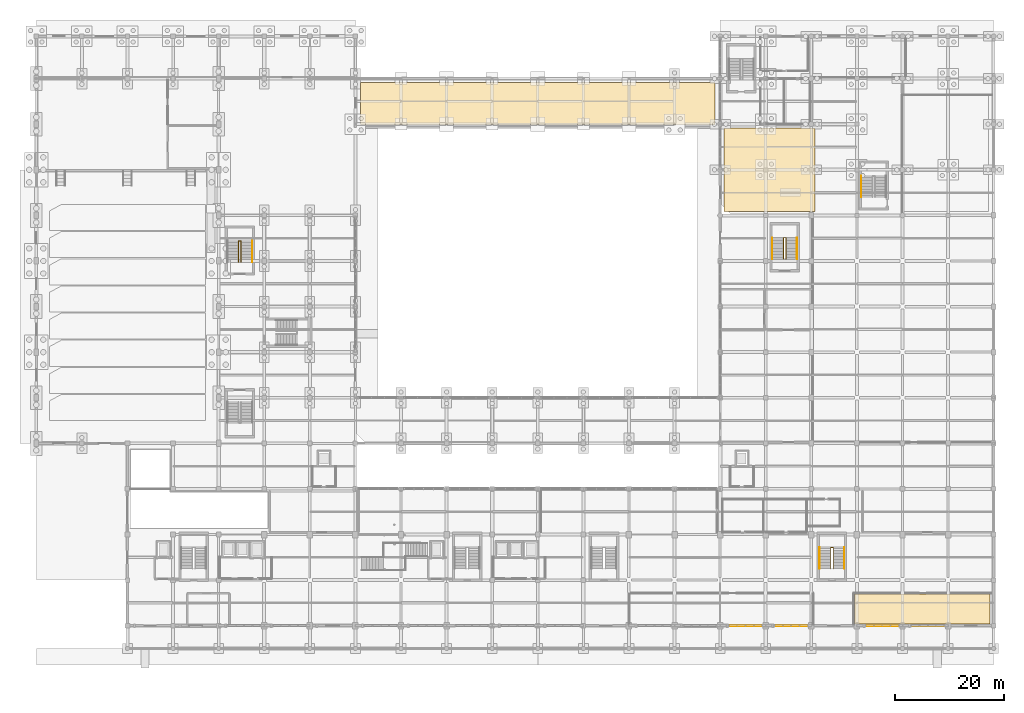
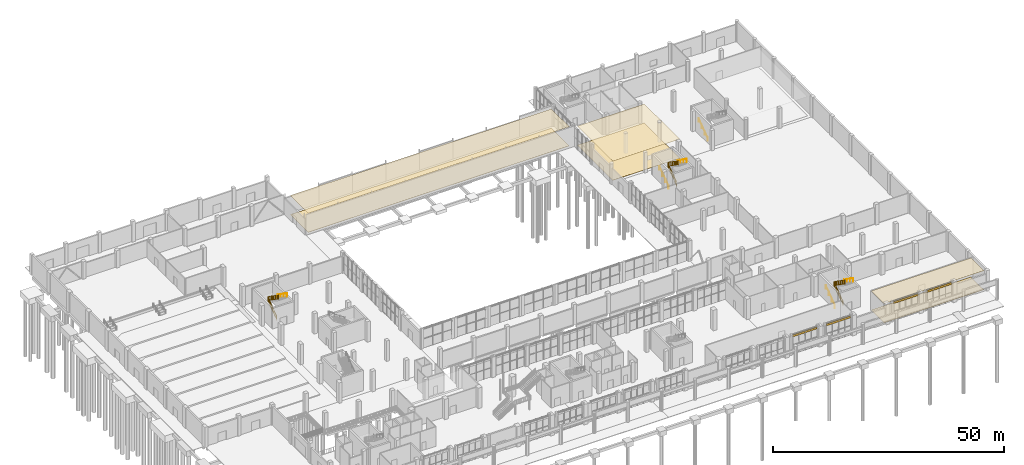
# One storey, part 80 of 82: 10 coverings, 9 railings.
"""IFC4 building model written with IfcOpenShell, lengths in metres."""

import ifcopenshell
import ifcopenshell.guid

model = None  # the IFC model being written
_history = None  # IfcOwnerHistory: only IFC2X3 demands one
_inside = {}  # id of a spatial element -> (the spatial element, [elements in it])
_under = {}  # id of a project, library or spatial element -> (it, [spatial elements below it])
_declared = {}  # id of a project -> (the project, [libraries it declares])
_typed = {}  # id of a type object -> (the type object, [elements of that type])
_made_of = {}  # id of a material, layer set ... -> (it, [elements and type objects made of it])


def new_model(schema):
    """Start an empty IFC model of exactly this schema.

    Asked for "IFC4X3", IfcOpenShell would pick the latest addendum, in which some entities
    have other attributes; the version numbers below select the first issue.
    IFC2X3 requires an IfcOwnerHistory on every rooted entity: one is made here for all.
    """
    global model, _history
    if schema == "IFC4X3":
        model = ifcopenshell.file(schema_version=(4, 3, 0, 0))
    else:
        model = ifcopenshell.file(schema=schema)
    _inside.clear()
    _under.clear()
    _declared.clear()
    _typed.clear()
    _made_of.clear()
    _history = None
    if model.schema == "IFC2X3":
        org = make("IfcOrganization", Name="unknown")
        user = make(
            "IfcPersonAndOrganization",
            ThePerson=make("IfcPerson", FamilyName="unknown"),
            TheOrganization=org,
        )
        app = make(
            "IfcApplication",
            ApplicationDeveloper=org,
            Version="unknown",
            ApplicationFullName="unknown",
            ApplicationIdentifier="unknown",
        )
        _history = make(
            "IfcOwnerHistory",
            OwningUser=user,
            OwningApplication=app,
            ChangeAction="ADDED",
            CreationDate=0,
        )
    return model


def make(cls, **values):
    """One entity of the class cls with the attributes given. An attribute that is None is left unset."""
    return model.create_entity(
        cls, **{name: value for name, value in values.items() if value is not None}
    )


def rooted(cls, **values):
    """An entity with a GlobalId (a new one), such as an element, a storey or a relation."""
    return make(cls, GlobalId=ifcopenshell.guid.new(), OwnerHistory=_history, **values)


def si_unit(unit_type, name, prefix=None):
    """IfcSIUnit, for example si_unit("LENGTHUNIT", "METRE", prefix="MILLI")."""
    return make("IfcSIUnit", UnitType=unit_type, Prefix=prefix, Name=name)


def derived_unit(unit_type, elements):
    """IfcDerivedUnit: a product of units, each with its exponent."""
    return make(
        "IfcDerivedUnit",
        Elements=[
            make("IfcDerivedUnitElement", Unit=unit, Exponent=power)
            for unit, power in elements
        ],
        UnitType=unit_type,
    )


def assignment(units):
    """IfcUnitAssignment: the units of a project."""
    return None if units is None else make("IfcUnitAssignment", Units=units)


def point(xyz):
    """IfcCartesianPoint."""
    return None if xyz is None else make("IfcCartesianPoint", Coordinates=xyz)


def direction(xyz):
    """IfcDirection."""
    return None if xyz is None else make("IfcDirection", DirectionRatios=xyz)


def frame(location, z_axis=None, x_axis=None):
    """IfcAxis2Placement3D, a coordinate frame: its origin and axes. An axis left out is left unset."""
    return make(
        "IfcAxis2Placement3D",
        Location=point(location),
        Axis=direction(z_axis),
        RefDirection=direction(x_axis),
    )


def frame_2d(location, x_axis=None):
    """IfcAxis2Placement2D, a coordinate frame in the plane: its origin and x axis."""
    return make(
        "IfcAxis2Placement2D", Location=point(location), RefDirection=direction(x_axis)
    )


def origin():
    """The frame at (0, 0, 0) with its axes left unset."""
    return frame((0.0, 0.0, 0.0))


def origin_2d():
    """The frame at (0, 0) in the plane with its x axis left unset."""
    return frame_2d((0.0, 0.0))


def place(relative_to, where):
    """IfcLocalPlacement: puts the frame where relative to a parent placement (None: the world)."""
    return make(
        "IfcLocalPlacement", PlacementRelTo=relative_to, RelativePlacement=where
    )


def context(
    kind, dimensions, precision=None, world=None, true_north=None, identifier=None
):
    """IfcGeometricRepresentationContext, for example the 3D "Model" context."""
    return make(
        "IfcGeometricRepresentationContext",
        ContextIdentifier=identifier,
        ContextType=kind,
        CoordinateSpaceDimension=dimensions,
        Precision=precision,
        WorldCoordinateSystem=world,
        TrueNorth=true_north,
    )


def subcontext(parent, identifier, kind, view, scale=None):
    """IfcGeometricRepresentationSubContext, for example "Body" below "Model"."""
    return make(
        "IfcGeometricRepresentationSubContext",
        ContextIdentifier=identifier,
        ContextType=kind,
        ParentContext=parent,
        TargetScale=scale,
        TargetView=view,
    )


def project(units=None, contexts=None):
    """IfcProject with its units and contexts."""
    return rooted(
        "IfcProject",
        Name="project",
        RepresentationContexts=contexts,
        UnitsInContext=assignment(units),
    )


def spatial(cls, under=None, at=None, **own):
    """A site, building, storey or space (cls), placed at a placement, below another one or the project."""
    s = rooted(cls, ObjectPlacement=at, **own)
    if under is not None:
        _under.setdefault(under.id(), (under, []))[1].append(s)
    return s


def polyline(points):
    """IfcPolyline through the points."""
    return make("IfcPolyline", Points=[point(p) for p in points])


def profile(cls, at=None, kind="AREA", **sizes):
    """A parametric profile (cls). Its sizes go by their IFC names, for example OverallWidth=200.0."""
    return make(cls, ProfileType=kind, Position=at, **sizes)


def rectangle(**sizes):
    """IfcRectangleProfileDef."""
    return profile("IfcRectangleProfileDef", **sizes)


def circle(**sizes):
    """IfcCircleProfileDef."""
    return profile("IfcCircleProfileDef", **sizes)


def outline(outer, holes=None, kind="AREA"):
    """IfcArbitraryClosedProfileDef: a profile drawn as a closed curve; with holes, ...WithVoids."""
    if holes is None:
        return make("IfcArbitraryClosedProfileDef", ProfileType=kind, OuterCurve=outer)
    return make(
        "IfcArbitraryProfileDefWithVoids",
        ProfileType=kind,
        OuterCurve=outer,
        InnerCurves=holes,
    )


def extrude(swept, where, along, depth):
    """IfcExtrudedAreaSolid: the profile swept, set in the frame where, extruded along a direction by depth."""
    return make(
        "IfcExtrudedAreaSolid",
        SweptArea=swept,
        Position=where,
        ExtrudedDirection=direction(along),
        Depth=depth,
    )


def shape(context_of_items, identifier, shape_type, items):
    """IfcShapeRepresentation: the items that make up one representation, for example the "Body"."""
    return make(
        "IfcShapeRepresentation",
        ContextOfItems=context_of_items,
        RepresentationIdentifier=identifier,
        RepresentationType=shape_type,
        Items=items,
    )


def material(Name=None, Category=None):
    """IfcMaterial."""
    return make("IfcMaterial", Name=Name, Category=Category)


def layer(
    of_material, thickness, ventilated=None, Name=None, Category=None, Priority=None
):
    """IfcMaterialLayer: one layer of a wall or slab, of a material (None: an air gap)."""
    return make(
        "IfcMaterialLayer",
        Material=of_material,
        LayerThickness=thickness,
        IsVentilated=ventilated,
        Name=Name,
        Category=Category,
        Priority=Priority,
    )


def layer_set(layers, Name=None):
    """IfcMaterialLayerSet."""
    return make("IfcMaterialLayerSet", MaterialLayers=layers, LayerSetName=Name)


def made_of(thing, what):
    """Note that an element or type object is made of a material, layer set ...; save() writes the relation."""
    if what is not None:
        _made_of.setdefault(what.id(), (what, []))[1].append(thing)
    return thing


def type_object(cls, material=None, **own):
    """A type object (cls), such as IfcWallType, which elements share."""
    return made_of(rooted(cls, **own), material)


def element(
    cls,
    number,
    at=None,
    inside=None,
    cuts=None,
    type_object=None,
    material=None,
    context=None,
    identifier="Body",
    shape_type=None,
    held_by="IfcProductDefinitionShape",
    body=None,
    shapes=None,
    **own,
):
    """One element of the class cls, such as IfcWall. Its Tag is "e" and its number.

    at: its placement. inside: the storey or other place that contains it. cuts: it is an
    opening in that element (IfcRelVoidsElement). A single representation is given by context,
    identifier, shape_type and body (its items); several are given by shapes. held_by: the class
    of the entity that holds the representations. save() writes the other relations.
    """
    e = rooted(cls, Tag="e%d" % number, ObjectPlacement=at, **own)
    if body is not None:
        shapes = [shape(context, identifier, shape_type, body)]
    if shapes is not None:
        e.Representation = make(held_by, Representations=shapes)
    if inside is not None:
        _inside.setdefault(inside.id(), (inside, []))[1].append(e)
    if cuts is not None:
        rooted(
            "IfcRelVoidsElement", RelatingBuildingElement=cuts, RelatedOpeningElement=e
        )
    if type_object is not None:
        _typed.setdefault(type_object.id(), (type_object, []))[1].append(e)
    return made_of(e, material)


def aggregate(whole, parts):
    """IfcRelAggregates: a whole, such as a stair, and the parts it consists of."""
    return rooted("IfcRelAggregates", RelatingObject=whole, RelatedObjects=parts)


def save(model, path):
    """Write the relations noted so far, then the file.

    IfcRelAggregates (storeys below a building ...), IfcRelContainedInSpatialStructure (elements
    in a storey), IfcRelDefinesByType, IfcRelAssociatesMaterial and IfcRelDeclares: one each for
    every whole, place, type object, material and project.
    """
    for whole, parts in _under.values():
        aggregate(whole, parts)
    for where, things in _inside.values():
        rooted(
            "IfcRelContainedInSpatialStructure",
            RelatedElements=things,
            RelatingStructure=where,
        )
    for kind, things in _typed.values():
        rooted("IfcRelDefinesByType", RelatedObjects=things, RelatingType=kind)
    for what, things in _made_of.values():
        rooted("IfcRelAssociatesMaterial", RelatedObjects=things, RelatingMaterial=what)
    for by, libraries in _declared.values():
        rooted("IfcRelDeclares", RelatingContext=by, RelatedDefinitions=libraries)
    model.write(path)


model = new_model("IFC4")

# Units and contexts
model_context = context("Model", 3, precision=1e-05, world=origin(), true_north=direction((0.0, 1.0)))
body_context = subcontext(model_context, "Body", "Model", "MODEL_VIEW")
ifc_project = project(units=[si_unit("LENGTHUNIT", "METRE"), si_unit("AREAUNIT", "SQUARE_METRE"), si_unit("VOLUMEUNIT", "CUBIC_METRE"), si_unit("PLANEANGLEUNIT", "RADIAN"), si_unit("MASSUNIT", "GRAM", prefix="KILO"), derived_unit("THERMALTRANSMITTANCEUNIT", [(si_unit("POWERUNIT", "WATT"), 1), (si_unit("LENGTHUNIT", "METRE"), -2), (si_unit("THERMODYNAMICTEMPERATUREUNIT", "KELVIN"), -1)])], contexts=[model_context])

# Site, building, storey
site_placement = place(None, origin())
site = spatial("IfcSite", under=ifc_project, at=site_placement, CompositionType="ELEMENT")
building_placement = place(site_placement, origin())
building = spatial("IfcBuilding", under=site, at=building_placement, Name="Barrovel Congress Hotel", CompositionType="ELEMENT")
storey_placement = place(building_placement, origin())
storey = spatial("IfcBuildingStorey", under=building, at=storey_placement, Name="L00", CompositionType="ELEMENT", Elevation=0.0)

# Coverings
ifc_material_1 = material(Name="Perforated Timber Acoustic Ceiling", Category="wood")
ifc_layer_1 = layer(ifc_material_1, 0.030029296875)
ifc_layer_set_1 = layer_set([ifc_layer_1], Name="Perforated Timber Acoustic Ceiling")
covering_type_1 = type_object("IfcCoveringType", Name="COV-CEIL-ACU", PredefinedType="CEILING", material=ifc_layer_set_1)
covering_1_placement = place(storey_placement, frame((0.0, 0.0, 5.044921875)))
element("IfcCovering", 1, at=covering_1_placement, inside=storey, type_object=covering_type_1, Name="CEIL:03", PredefinedType="CEILING", context=body_context, shape_type="SweptSolid", body=[
    extrude(outline(polyline([(150.719970703125, 4.52001953125), (175.679931640625, 4.52001953125), (175.679931640625, 10.080078125), (150.719970703125, 10.080078125), (150.719970703125, 4.52001953125)])), origin(), (0.0, 0.0, 1.0), 0.030029296875),
])
covering_2_placement = place(storey_placement, frame((0.0, 0.0, 5.044921875)))
element("IfcCovering", 2, at=covering_2_placement, inside=storey, type_object=covering_type_1, Name="CEIL:05", PredefinedType="CEILING", context=body_context, shape_type="SweptSolid", body=[
    extrude(outline(polyline([(126.719970703125, 80.52001953125), (143.47998046875, 80.52001953125), (143.47998046875, 95.8798828125), (126.719970703125, 95.8798828125), (126.719970703125, 80.52001953125)])), origin(), (0.0, 0.0, 1.0), 0.030029296875),
])
covering_3_placement = place(storey_placement, frame((0.0, 0.0, 5.044921875)))
element("IfcCovering", 3, at=covering_3_placement, inside=storey, type_object=covering_type_1, Name="CEIL:08", PredefinedType="CEILING", context=body_context, shape_type="SweptSolid", body=[
    extrude(outline(polyline([(59.719970703125, 96.52001953125), (125.080078125, 96.52001953125), (125.080078125, 104.280029296875), (59.719970703125, 104.280029296875), (59.719970703125, 96.52001953125)])), origin(), (0.0, 0.0, 1.0), 0.030029296875),
])
ifc_material_2 = material(Name="Glazed Terracotta Spandrel", Category="masonry")
ifc_layer_2 = layer(ifc_material_2, 0.1201171875)
ifc_layer_set_2 = layer_set([ifc_layer_2], Name="Glazed Terracotta Spandrel")
covering_type_2 = type_object("IfcCoveringType", Name="COV-CLAD-TERRA", PredefinedType="CLADDING", material=ifc_layer_set_2)
for number, where, z_axis, x_axis, name in (
    (4, (130.679931640625, 4.14990234375, 4.610107421875), (0.0, 0.0, 1.0), (1.0, 0.0, 0.0), "CLAD:L00:S:15"),
    (5, (139.080078125, 4.14990234375, 4.610107421875), (0.0, 0.0, 1.0), (1.0, 0.0, 0.0), "CLAD:L00:S:16"),
    (6, (155.8798828125, 4.14990234375, 4.610107421875), (0.0, 0.0, 1.0), (1.0, 0.0, 0.0), "CLAD:L00:S:18"),
    (7, (164.280029296875, 4.14990234375, 4.610107421875), (0.0, 0.0, 1.0), (1.0, 0.0, 0.0), "CLAD:L00:S:19"),
):
    element("IfcCovering", number, at=place(storey_placement, frame(where, z_axis=z_axis, x_axis=x_axis)), inside=storey, type_object=covering_type_2, Name=name, PredefinedType="CLADDING", context=body_context, shape_type="SweptSolid", body=[
        extrude(rectangle(XDim=6.1201171875, YDim=0.1201171875, at=origin_2d()), origin(), (0.0, 0.0, 1.0), 0.52001953125),
    ])
ifc_material_3 = material(Name="Polished Monterrey Limestone Terrazzo", Category="masonry")
ifc_layer_3 = layer(ifc_material_3, 0.030029296875)
ifc_layer_set_3 = layer_set([ifc_layer_3], Name="Polished Monterrey Limestone Terrazzo")
covering_type_3 = type_object("IfcCoveringType", Name="COV-FLOR-TRZ", PredefinedType="FLOORING", material=ifc_layer_set_3)
covering_4_placement = place(storey_placement, origin())
element("IfcCovering", 8, at=covering_4_placement, inside=storey, type_object=covering_type_3, Name="FLOR:03", PredefinedType="FLOORING", context=body_context, shape_type="SweptSolid", body=[
    extrude(outline(polyline([(150.719970703125, 4.52001953125), (175.679931640625, 4.52001953125), (175.679931640625, 10.080078125), (150.719970703125, 10.080078125), (150.719970703125, 4.52001953125)])), origin(), (0.0, 0.0, 1.0), 0.030029296875),
])
covering_5_placement = place(storey_placement, origin())
element("IfcCovering", 9, at=covering_5_placement, inside=storey, type_object=covering_type_3, Name="FLOR:05", PredefinedType="FLOORING", context=body_context, shape_type="SweptSolid", body=[
    extrude(outline(polyline([(126.719970703125, 80.52001953125), (143.47998046875, 80.52001953125), (143.47998046875, 95.8798828125), (126.719970703125, 95.8798828125), (126.719970703125, 80.52001953125)])), origin(), (0.0, 0.0, 1.0), 0.030029296875),
])
covering_6_placement = place(storey_placement, origin())
element("IfcCovering", 10, at=covering_6_placement, inside=storey, type_object=covering_type_3, Name="FLOR:08", PredefinedType="FLOORING", context=body_context, shape_type="SweptSolid", body=[
    extrude(outline(polyline([(59.719970703125, 96.52001953125), (125.080078125, 96.52001953125), (125.080078125, 104.280029296875), (59.719970703125, 104.280029296875), (59.719970703125, 96.52001953125)])), origin(), (0.0, 0.0, 1.0), 0.030029296875),
])

# Railings
ifc_material_4 = material(Name="Painted Architectural Steel", Category="steel")
ifc_layer_4 = layer(ifc_material_4, 0.070068359375)
ifc_layer_set_4 = layer_set([ifc_layer_4], Name="Painted Architectural Steel")
railing_type_1 = type_object("IfcRailingType", Name="RAIL-GUARD-INT", PredefinedType="BALUSTRADE", material=ifc_layer_set_4)
railing_1_placement = place(storey_placement, frame((146.360107421875, 14.739990234375, 0.0)))
element("IfcRailing", 11, at=railing_1_placement, inside=storey, type_object=railing_type_1, Name="STAIR:XS-04:L00:GR-W", PredefinedType="BALUSTRADE", context=body_context, shape_type="SweptSolid", body=[
    extrude(circle(Radius=0.02392578125, at=origin_2d()), frame((0.0, 0.0, 1.11572265625), z_axis=(0.0, 0.821504814544, 0.570201578111), x_axis=(-1.0, 0.0, 0.0)), (0.0, 0.0, 1.0), 4.735107421875),
    extrude(circle(Radius=0.02392578125, at=origin_2d()), frame((0.0, 0.0, 0.10009765625), z_axis=(0.0, 0.821504814544, 0.570201578111), x_axis=(-1.0, 0.0, 0.0)), (0.0, 0.0, 1.0), 4.735107421875),
    extrude(circle(Radius=0.010009765625, at=origin_2d()), frame((0.0, 0.353515625, 0.345458984375)), (0.0, 0.0, 1.0), 0.99169921875),
    extrude(circle(Radius=0.010009765625, at=origin_2d()), frame((0.0, 0.707275390625, 0.5908203125)), (0.0, 0.0, 1.0), 0.99169921875),
    extrude(circle(Radius=0.010009765625, at=origin_2d()), frame((0.0, 1.060791015625, 0.83642578125)), (0.0, 0.0, 1.0), 0.99169921875),
    extrude(circle(Radius=0.010009765625, at=origin_2d()), frame((0.0, 1.41455078125, 1.081787109375)), (0.0, 0.0, 1.0), 0.99169921875),
    extrude(circle(Radius=0.010009765625, at=origin_2d()), frame((0.0, 1.76806640625, 1.3271484375)), (0.0, 0.0, 1.0), 0.99169921875),
    extrude(circle(Radius=0.010009765625, at=origin_2d()), frame((0.0, 2.121826171875, 1.57275390625)), (0.0, 0.0, 1.0), 0.99169921875),
    extrude(circle(Radius=0.010009765625, at=origin_2d()), frame((0.0, 2.475341796875, 1.818115234375)), (0.0, 0.0, 1.0), 0.99169921875),
    extrude(circle(Radius=0.010009765625, at=origin_2d()), frame((0.0, 2.8291015625, 2.063720703125)), (0.0, 0.0, 1.0), 0.99169921875),
    extrude(circle(Radius=0.010009765625, at=origin_2d()), frame((0.0, 3.1826171875, 2.30908203125)), (0.0, 0.0, 1.0), 0.99169921875),
    extrude(circle(Radius=0.010009765625, at=origin_2d()), frame((0.0, 3.536376953125, 2.554443359375)), (0.0, 0.0, 1.0), 0.99169921875),
    extrude(circle(Radius=0.02392578125, at=origin_2d()), frame((0.0, 3.889892578125, 3.81591796875), z_axis=(1.0, 0.0, 0.0), x_axis=(0.0, 1.0, 0.0)), (0.0, 0.0, 1.0), 0.47998046875),
    extrude(circle(Radius=0.02392578125, at=origin_2d()), frame((0.0, 3.889892578125, 2.800048828125), z_axis=(1.0, 0.0, 0.0), x_axis=(0.0, 1.0, 0.0)), (0.0, 0.0, 1.0), 0.47998046875),
    extrude(circle(Radius=0.010009765625, at=origin_2d()), frame((0.239990234375, 3.889892578125, 2.800048828125)), (0.0, 0.0, 1.0), 0.99169921875),
    extrude(circle(Radius=0.02392578125, at=origin_2d()), frame((0.47998046875, 3.889892578125, 3.81591796875), z_axis=(0.0, -0.821504814544, 0.570201578111), x_axis=(1.0, 0.0, 0.0)), (0.0, 0.0, 1.0), 4.735107421875),
    extrude(circle(Radius=0.02392578125, at=origin_2d()), frame((0.47998046875, 3.889892578125, 2.800048828125), z_axis=(0.0, -0.821504814544, 0.570201578111), x_axis=(1.0, 0.0, 0.0)), (0.0, 0.0, 1.0), 4.735107421875),
    extrude(circle(Radius=0.010009765625, at=origin_2d()), frame((0.47998046875, 3.536376953125, 3.04541015625)), (0.0, 0.0, 1.0), 0.99169921875),
    extrude(circle(Radius=0.010009765625, at=origin_2d()), frame((0.47998046875, 3.1826171875, 3.290771484375)), (0.0, 0.0, 1.0), 0.99169921875),
    extrude(circle(Radius=0.010009765625, at=origin_2d()), frame((0.47998046875, 2.8291015625, 3.536376953125)), (0.0, 0.0, 1.0), 0.99169921875),
    extrude(circle(Radius=0.010009765625, at=origin_2d()), frame((0.47998046875, 2.475341796875, 3.78173828125)), (0.0, 0.0, 1.0), 0.99169921875),
    extrude(circle(Radius=0.010009765625, at=origin_2d()), frame((0.47998046875, 2.121826171875, 4.027099609375)), (0.0, 0.0, 1.0), 0.99169921875),
    extrude(circle(Radius=0.010009765625, at=origin_2d()), frame((0.47998046875, 1.76806640625, 4.272705078125)), (0.0, 0.0, 1.0), 0.99169921875),
    extrude(circle(Radius=0.010009765625, at=origin_2d()), frame((0.47998046875, 1.41455078125, 4.51806640625)), (0.0, 0.0, 1.0), 0.99169921875),
    extrude(circle(Radius=0.010009765625, at=origin_2d()), frame((0.47998046875, 1.060791015625, 4.763671875)), (0.0, 0.0, 1.0), 0.99169921875),
    extrude(circle(Radius=0.010009765625, at=origin_2d()), frame((0.47998046875, 0.707275390625, 5.009033203125)), (0.0, 0.0, 1.0), 0.99169921875),
    extrude(circle(Radius=0.010009765625, at=origin_2d()), frame((0.47998046875, 0.353515625, 5.25439453125)), (0.0, 0.0, 1.0), 0.99169921875),
    extrude(circle(Radius=0.02099609375, at=origin_2d()), origin(), (0.0, 0.0, 1.0), 1.091796875),
    extrude(circle(Radius=0.02099609375, at=origin_2d()), frame((0.0, 1.296630859375, 0.89990234375)), (0.0, 0.0, 1.0), 1.091796875),
    extrude(circle(Radius=0.02099609375, at=origin_2d()), frame((0.0, 2.59326171875, 1.800048828125)), (0.0, 0.0, 1.0), 1.091796875),
    extrude(circle(Radius=0.02099609375, at=origin_2d()), frame((0.0, 3.889892578125, 2.699951171875)), (0.0, 0.0, 1.0), 1.091796875),
    extrude(circle(Radius=0.02099609375, at=origin_2d()), frame((0.47998046875, 3.889892578125, 2.699951171875)), (0.0, 0.0, 1.0), 1.091796875),
    extrude(circle(Radius=0.02099609375, at=origin_2d()), frame((0.47998046875, 2.59326171875, 3.599853515625)), (0.0, 0.0, 1.0), 1.091796875),
    extrude(circle(Radius=0.02099609375, at=origin_2d()), frame((0.47998046875, 1.296630859375, 4.5)), (0.0, 0.0, 1.0), 1.091796875),
    extrude(circle(Radius=0.02099609375, at=origin_2d()), frame((0.47998046875, 0.0, 5.39990234375)), (0.0, 0.0, 1.0), 1.091796875),
])
railing_2_placement = place(storey_placement, frame((37.260009765625, 71.179931640625, 0.0)))
element("IfcRailing", 12, at=railing_2_placement, inside=storey, type_object=railing_type_1, Name="STAIR:XS-07:L00:GR-W", PredefinedType="BALUSTRADE", context=body_context, shape_type="SweptSolid", body=[
    extrude(circle(Radius=0.02392578125, at=origin_2d()), frame((0.0, 0.0, 1.11572265625), z_axis=(0.0, 0.82152157716, 0.570177427), x_axis=(-1.0, 0.0, 0.0)), (0.0, 0.0, 1.0), 4.7353515625),
    extrude(circle(Radius=0.02392578125, at=origin_2d()), frame((0.0, 0.0, 0.10009765625), z_axis=(0.0, 0.82152157716, 0.570177427), x_axis=(-1.0, 0.0, 0.0)), (0.0, 0.0, 1.0), 4.7353515625),
    extrude(circle(Radius=0.010009765625, at=origin_2d()), frame((0.0, 0.353759765625, 0.345458984375)), (0.0, 0.0, 1.0), 0.99169921875),
    extrude(circle(Radius=0.010009765625, at=origin_2d()), frame((0.0, 0.707275390625, 0.5908203125)), (0.0, 0.0, 1.0), 0.99169921875),
    extrude(circle(Radius=0.010009765625, at=origin_2d()), frame((0.0, 1.06103515625, 0.83642578125)), (0.0, 0.0, 1.0), 0.99169921875),
    extrude(circle(Radius=0.010009765625, at=origin_2d()), frame((0.0, 1.41455078125, 1.081787109375)), (0.0, 0.0, 1.0), 0.99169921875),
    extrude(circle(Radius=0.010009765625, at=origin_2d()), frame((0.0, 1.768310546875, 1.3271484375)), (0.0, 0.0, 1.0), 0.99169921875),
    extrude(circle(Radius=0.010009765625, at=origin_2d()), frame((0.0, 2.121826171875, 1.57275390625)), (0.0, 0.0, 1.0), 0.99169921875),
    extrude(circle(Radius=0.010009765625, at=origin_2d()), frame((0.0, 2.4755859375, 1.818115234375)), (0.0, 0.0, 1.0), 0.99169921875),
    extrude(circle(Radius=0.010009765625, at=origin_2d()), frame((0.0, 2.8291015625, 2.063720703125)), (0.0, 0.0, 1.0), 0.99169921875),
    extrude(circle(Radius=0.010009765625, at=origin_2d()), frame((0.0, 3.182861328125, 2.30908203125)), (0.0, 0.0, 1.0), 0.99169921875),
    extrude(circle(Radius=0.010009765625, at=origin_2d()), frame((0.0, 3.536376953125, 2.554443359375)), (0.0, 0.0, 1.0), 0.99169921875),
    extrude(circle(Radius=0.02392578125, at=origin_2d()), frame((0.0, 3.89013671875, 3.81591796875), z_axis=(1.0, 0.0, 0.0), x_axis=(0.0, 1.0, 0.0)), (0.0, 0.0, 1.0), 0.47998046875),
    extrude(circle(Radius=0.02392578125, at=origin_2d()), frame((0.0, 3.89013671875, 2.800048828125), z_axis=(1.0, 0.0, 0.0), x_axis=(0.0, 1.0, 0.0)), (0.0, 0.0, 1.0), 0.47998046875),
    extrude(circle(Radius=0.010009765625, at=origin_2d()), frame((0.239990234375, 3.89013671875, 2.800048828125)), (0.0, 0.0, 1.0), 0.99169921875),
    extrude(circle(Radius=0.02392578125, at=origin_2d()), frame((0.47998046875, 3.89013671875, 3.81591796875), z_axis=(0.0, -0.82152157716, 0.570177427), x_axis=(1.0, 0.0, 0.0)), (0.0, 0.0, 1.0), 4.7353515625),
    extrude(circle(Radius=0.02392578125, at=origin_2d()), frame((0.47998046875, 3.89013671875, 2.800048828125), z_axis=(0.0, -0.82152157716, 0.570177427), x_axis=(1.0, 0.0, 0.0)), (0.0, 0.0, 1.0), 4.7353515625),
    extrude(circle(Radius=0.010009765625, at=origin_2d()), frame((0.47998046875, 3.536376953125, 3.04541015625)), (0.0, 0.0, 1.0), 0.99169921875),
    extrude(circle(Radius=0.010009765625, at=origin_2d()), frame((0.47998046875, 3.182861328125, 3.290771484375)), (0.0, 0.0, 1.0), 0.99169921875),
    extrude(circle(Radius=0.010009765625, at=origin_2d()), frame((0.47998046875, 2.8291015625, 3.536376953125)), (0.0, 0.0, 1.0), 0.99169921875),
    extrude(circle(Radius=0.010009765625, at=origin_2d()), frame((0.47998046875, 2.4755859375, 3.78173828125)), (0.0, 0.0, 1.0), 0.99169921875),
    extrude(circle(Radius=0.010009765625, at=origin_2d()), frame((0.47998046875, 2.121826171875, 4.027099609375)), (0.0, 0.0, 1.0), 0.99169921875),
    extrude(circle(Radius=0.010009765625, at=origin_2d()), frame((0.47998046875, 1.768310546875, 4.272705078125)), (0.0, 0.0, 1.0), 0.99169921875),
    extrude(circle(Radius=0.010009765625, at=origin_2d()), frame((0.47998046875, 1.41455078125, 4.51806640625)), (0.0, 0.0, 1.0), 0.99169921875),
    extrude(circle(Radius=0.010009765625, at=origin_2d()), frame((0.47998046875, 1.06103515625, 4.763671875)), (0.0, 0.0, 1.0), 0.99169921875),
    extrude(circle(Radius=0.010009765625, at=origin_2d()), frame((0.47998046875, 0.707275390625, 5.009033203125)), (0.0, 0.0, 1.0), 0.99169921875),
    extrude(circle(Radius=0.010009765625, at=origin_2d()), frame((0.47998046875, 0.353759765625, 5.25439453125)), (0.0, 0.0, 1.0), 0.99169921875),
    extrude(circle(Radius=0.02099609375, at=origin_2d()), origin(), (0.0, 0.0, 1.0), 1.091796875),
    extrude(circle(Radius=0.02099609375, at=origin_2d()), frame((0.0, 1.296630859375, 0.89990234375)), (0.0, 0.0, 1.0), 1.091796875),
    extrude(circle(Radius=0.02099609375, at=origin_2d()), frame((0.0, 2.593505859375, 1.800048828125)), (0.0, 0.0, 1.0), 1.091796875),
    extrude(circle(Radius=0.02099609375, at=origin_2d()), frame((0.0, 3.89013671875, 2.699951171875)), (0.0, 0.0, 1.0), 1.091796875),
    extrude(circle(Radius=0.02099609375, at=origin_2d()), frame((0.47998046875, 3.89013671875, 2.699951171875)), (0.0, 0.0, 1.0), 1.091796875),
    extrude(circle(Radius=0.02099609375, at=origin_2d()), frame((0.47998046875, 2.593505859375, 3.599853515625)), (0.0, 0.0, 1.0), 1.091796875),
    extrude(circle(Radius=0.02099609375, at=origin_2d()), frame((0.47998046875, 1.296630859375, 4.5)), (0.0, 0.0, 1.0), 1.091796875),
    extrude(circle(Radius=0.02099609375, at=origin_2d()), frame((0.47998046875, 0.0, 5.39990234375)), (0.0, 0.0, 1.0), 1.091796875),
])
railing_3_placement = place(storey_placement, frame((137.659912109375, 71.780029296875, 0.0)))
element("IfcRailing", 13, at=railing_3_placement, inside=storey, type_object=railing_type_1, Name="STAIR:XS-09:L00:GR-W", PredefinedType="BALUSTRADE", context=body_context, shape_type="SweptSolid", body=[
    extrude(circle(Radius=0.02392578125, at=origin_2d()), frame((0.0, 0.0, 1.11572265625), z_axis=(0.0, 0.821504814544, 0.570201578111), x_axis=(-1.0, 0.0, 0.0)), (0.0, 0.0, 1.0), 4.735107421875),
    extrude(circle(Radius=0.02392578125, at=origin_2d()), frame((0.0, 0.0, 0.10009765625), z_axis=(0.0, 0.821504814544, 0.570201578111), x_axis=(-1.0, 0.0, 0.0)), (0.0, 0.0, 1.0), 4.735107421875),
    extrude(circle(Radius=0.010009765625, at=origin_2d()), frame((0.0, 0.353515625, 0.345458984375)), (0.0, 0.0, 1.0), 0.99169921875),
    extrude(circle(Radius=0.010009765625, at=origin_2d()), frame((0.0, 0.707275390625, 0.5908203125)), (0.0, 0.0, 1.0), 0.99169921875),
    extrude(circle(Radius=0.010009765625, at=origin_2d()), frame((0.0, 1.060791015625, 0.83642578125)), (0.0, 0.0, 1.0), 0.99169921875),
    extrude(circle(Radius=0.010009765625, at=origin_2d()), frame((0.0, 1.41455078125, 1.081787109375)), (0.0, 0.0, 1.0), 0.99169921875),
    extrude(circle(Radius=0.010009765625, at=origin_2d()), frame((0.0, 1.76806640625, 1.3271484375)), (0.0, 0.0, 1.0), 0.99169921875),
    extrude(circle(Radius=0.010009765625, at=origin_2d()), frame((0.0, 2.121826171875, 1.57275390625)), (0.0, 0.0, 1.0), 0.99169921875),
    extrude(circle(Radius=0.010009765625, at=origin_2d()), frame((0.0, 2.475341796875, 1.818115234375)), (0.0, 0.0, 1.0), 0.99169921875),
    extrude(circle(Radius=0.010009765625, at=origin_2d()), frame((0.0, 2.8291015625, 2.063720703125)), (0.0, 0.0, 1.0), 0.99169921875),
    extrude(circle(Radius=0.010009765625, at=origin_2d()), frame((0.0, 3.1826171875, 2.30908203125)), (0.0, 0.0, 1.0), 0.99169921875),
    extrude(circle(Radius=0.010009765625, at=origin_2d()), frame((0.0, 3.536376953125, 2.554443359375)), (0.0, 0.0, 1.0), 0.99169921875),
    extrude(circle(Radius=0.02392578125, at=origin_2d()), frame((0.0, 3.889892578125, 3.81591796875), z_axis=(1.0, 0.0, 0.0), x_axis=(0.0, 1.0, 0.0)), (0.0, 0.0, 1.0), 0.47998046875),
    extrude(circle(Radius=0.02392578125, at=origin_2d()), frame((0.0, 3.889892578125, 2.800048828125), z_axis=(1.0, 0.0, 0.0), x_axis=(0.0, 1.0, 0.0)), (0.0, 0.0, 1.0), 0.47998046875),
    extrude(circle(Radius=0.010009765625, at=origin_2d()), frame((0.239990234375, 3.889892578125, 2.800048828125)), (0.0, 0.0, 1.0), 0.99169921875),
    extrude(circle(Radius=0.02392578125, at=origin_2d()), frame((0.47998046875, 3.889892578125, 3.81591796875), z_axis=(0.0, -0.821504814544, 0.570201578111), x_axis=(1.0, 0.0, 0.0)), (0.0, 0.0, 1.0), 4.735107421875),
    extrude(circle(Radius=0.02392578125, at=origin_2d()), frame((0.47998046875, 3.889892578125, 2.800048828125), z_axis=(0.0, -0.821504814544, 0.570201578111), x_axis=(1.0, 0.0, 0.0)), (0.0, 0.0, 1.0), 4.735107421875),
    extrude(circle(Radius=0.010009765625, at=origin_2d()), frame((0.47998046875, 3.536376953125, 3.04541015625)), (0.0, 0.0, 1.0), 0.99169921875),
    extrude(circle(Radius=0.010009765625, at=origin_2d()), frame((0.47998046875, 3.1826171875, 3.290771484375)), (0.0, 0.0, 1.0), 0.99169921875),
    extrude(circle(Radius=0.010009765625, at=origin_2d()), frame((0.47998046875, 2.8291015625, 3.536376953125)), (0.0, 0.0, 1.0), 0.99169921875),
    extrude(circle(Radius=0.010009765625, at=origin_2d()), frame((0.47998046875, 2.475341796875, 3.78173828125)), (0.0, 0.0, 1.0), 0.99169921875),
    extrude(circle(Radius=0.010009765625, at=origin_2d()), frame((0.47998046875, 2.121826171875, 4.027099609375)), (0.0, 0.0, 1.0), 0.99169921875),
    extrude(circle(Radius=0.010009765625, at=origin_2d()), frame((0.47998046875, 1.76806640625, 4.272705078125)), (0.0, 0.0, 1.0), 0.99169921875),
    extrude(circle(Radius=0.010009765625, at=origin_2d()), frame((0.47998046875, 1.41455078125, 4.51806640625)), (0.0, 0.0, 1.0), 0.99169921875),
    extrude(circle(Radius=0.010009765625, at=origin_2d()), frame((0.47998046875, 1.060791015625, 4.763671875)), (0.0, 0.0, 1.0), 0.99169921875),
    extrude(circle(Radius=0.010009765625, at=origin_2d()), frame((0.47998046875, 0.707275390625, 5.009033203125)), (0.0, 0.0, 1.0), 0.99169921875),
    extrude(circle(Radius=0.010009765625, at=origin_2d()), frame((0.47998046875, 0.353515625, 5.25439453125)), (0.0, 0.0, 1.0), 0.99169921875),
    extrude(circle(Radius=0.02099609375, at=origin_2d()), origin(), (0.0, 0.0, 1.0), 1.091796875),
    extrude(circle(Radius=0.02099609375, at=origin_2d()), frame((0.0, 1.296630859375, 0.89990234375)), (0.0, 0.0, 1.0), 1.091796875),
    extrude(circle(Radius=0.02099609375, at=origin_2d()), frame((0.0, 2.59326171875, 1.800048828125)), (0.0, 0.0, 1.0), 1.091796875),
    extrude(circle(Radius=0.02099609375, at=origin_2d()), frame((0.0, 3.889892578125, 2.699951171875)), (0.0, 0.0, 1.0), 1.091796875),
    extrude(circle(Radius=0.02099609375, at=origin_2d()), frame((0.47998046875, 3.889892578125, 2.699951171875)), (0.0, 0.0, 1.0), 1.091796875),
    extrude(circle(Radius=0.02099609375, at=origin_2d()), frame((0.47998046875, 2.59326171875, 3.599853515625)), (0.0, 0.0, 1.0), 1.091796875),
    extrude(circle(Radius=0.02099609375, at=origin_2d()), frame((0.47998046875, 1.296630859375, 4.5)), (0.0, 0.0, 1.0), 1.091796875),
    extrude(circle(Radius=0.02099609375, at=origin_2d()), frame((0.47998046875, 0.0, 5.39990234375)), (0.0, 0.0, 1.0), 1.091796875),
])
ifc_material_5 = material(Name="Brushed Stainless Steel", Category="steel")
ifc_layer_5 = layer(ifc_material_5, 0.050048828125)
ifc_layer_set_5 = layer_set([ifc_layer_5], Name="Brushed Stainless Steel")
railing_type_2 = type_object("IfcRailingType", Name="RAIL-HAND", PredefinedType="HANDRAIL", material=ifc_layer_set_5)
railing_4_placement = place(storey_placement, frame((144.320068359375, 14.739990234375, 0.0)))
element("IfcRailing", 14, at=railing_4_placement, inside=storey, type_object=railing_type_2, Name="STAIR:XS-04:L00:HR-1", PredefinedType="HANDRAIL", context=body_context, shape_type="SweptSolid", body=[
    extrude(circle(Radius=0.02392578125, at=origin_2d()), frame((0.0, 0.0, 0.89599609375), z_axis=(0.0, 0.821504814544, 0.570201578111), x_axis=(-1.0, 0.0, 0.0)), (0.0, 0.0, 1.0), 4.735107421875),
    extrude(circle(Radius=0.02099609375, at=origin_2d()), origin(), (0.0, 0.0, 1.0), 0.871826171875),
    extrude(circle(Radius=0.02099609375, at=origin_2d()), frame((0.0, 1.296630859375, 0.89990234375)), (0.0, 0.0, 1.0), 0.871826171875),
    extrude(circle(Radius=0.02099609375, at=origin_2d()), frame((0.0, 2.59326171875, 1.800048828125)), (0.0, 0.0, 1.0), 0.871826171875),
    extrude(circle(Radius=0.02099609375, at=origin_2d()), frame((0.0, 3.889892578125, 2.699951171875)), (0.0, 0.0, 1.0), 0.871826171875),
])
railing_5_placement = place(storey_placement, frame((148.8798828125, 18.6298828125, 2.699951171875)))
element("IfcRailing", 15, at=railing_5_placement, inside=storey, type_object=railing_type_2, Name="STAIR:XS-04:L00:HR-2", PredefinedType="HANDRAIL", context=body_context, shape_type="SweptSolid", body=[
    extrude(circle(Radius=0.02392578125, at=origin_2d()), frame((0.0, 0.0, 0.89599609375), z_axis=(0.0, -0.821504814544, 0.570201578111), x_axis=(1.0, 0.0, 0.0)), (0.0, 0.0, 1.0), 4.735107421875),
    extrude(circle(Radius=0.02099609375, at=origin_2d()), origin(), (0.0, 0.0, 1.0), 0.871826171875),
    extrude(circle(Radius=0.02099609375, at=origin_2d()), frame((0.0, -1.296630859375, 0.89990234375)), (0.0, 0.0, 1.0), 0.871826171875),
    extrude(circle(Radius=0.02099609375, at=origin_2d()), frame((0.0, -2.59326171875, 1.800048828125)), (0.0, 0.0, 1.0), 0.871826171875),
    extrude(circle(Radius=0.02099609375, at=origin_2d()), frame((0.0, -3.889892578125, 2.699951171875)), (0.0, 0.0, 1.0), 0.871826171875),
])
railing_6_placement = place(storey_placement, frame((152.02001953125, 83.179931640625, 0.0)))
element("IfcRailing", 16, at=railing_6_placement, inside=storey, type_object=railing_type_2, Name="STAIR:XS-06:L00:HR-1", PredefinedType="HANDRAIL", context=body_context, shape_type="SweptSolid", body=[
    extrude(circle(Radius=0.02392578125, at=origin_2d()), frame((0.0, 0.0, 0.89599609375), z_axis=(0.0, 0.82152157716, 0.570177427), x_axis=(-1.0, 0.0, 0.0)), (0.0, 0.0, 1.0), 4.7353515625),
    extrude(circle(Radius=0.02099609375, at=origin_2d()), origin(), (0.0, 0.0, 1.0), 0.871826171875),
    extrude(circle(Radius=0.02099609375, at=origin_2d()), frame((0.0, 1.296630859375, 0.89990234375)), (0.0, 0.0, 1.0), 0.871826171875),
    extrude(circle(Radius=0.02099609375, at=origin_2d()), frame((0.0, 2.593505859375, 1.800048828125)), (0.0, 0.0, 1.0), 0.871826171875),
    extrude(circle(Radius=0.02099609375, at=origin_2d()), frame((0.0, 3.89013671875, 2.699951171875)), (0.0, 0.0, 1.0), 0.871826171875),
])
railing_7_placement = place(storey_placement, frame((39.780029296875, 75.070068359375, 2.699951171875)))
element("IfcRailing", 17, at=railing_7_placement, inside=storey, type_object=railing_type_2, Name="STAIR:XS-07:L00:HR-2", PredefinedType="HANDRAIL", context=body_context, shape_type="SweptSolid", body=[
    extrude(circle(Radius=0.02392578125, at=origin_2d()), frame((0.0, 0.0, 0.89599609375), z_axis=(0.0, -0.82152157716, 0.570177427), x_axis=(1.0, 0.0, 0.0)), (0.0, 0.0, 1.0), 4.7353515625),
    extrude(circle(Radius=0.02099609375, at=origin_2d()), origin(), (0.0, 0.0, 1.0), 0.871826171875),
    extrude(circle(Radius=0.02099609375, at=origin_2d()), frame((0.0, -1.296630859375, 0.89990234375)), (0.0, 0.0, 1.0), 0.871826171875),
    extrude(circle(Radius=0.02099609375, at=origin_2d()), frame((0.0, -2.593505859375, 1.800048828125)), (0.0, 0.0, 1.0), 0.871826171875),
    extrude(circle(Radius=0.02099609375, at=origin_2d()), frame((0.0, -3.89013671875, 2.699951171875)), (0.0, 0.0, 1.0), 0.871826171875),
])
railing_8_placement = place(storey_placement, frame((135.6201171875, 71.780029296875, 0.0)))
element("IfcRailing", 18, at=railing_8_placement, inside=storey, type_object=railing_type_2, Name="STAIR:XS-09:L00:HR-1", PredefinedType="HANDRAIL", context=body_context, shape_type="SweptSolid", body=[
    extrude(circle(Radius=0.02392578125, at=origin_2d()), frame((0.0, 0.0, 0.89599609375), z_axis=(0.0, 0.821504814544, 0.570201578111), x_axis=(-1.0, 0.0, 0.0)), (0.0, 0.0, 1.0), 4.735107421875),
    extrude(circle(Radius=0.02099609375, at=origin_2d()), origin(), (0.0, 0.0, 1.0), 0.871826171875),
    extrude(circle(Radius=0.02099609375, at=origin_2d()), frame((0.0, 1.296630859375, 0.89990234375)), (0.0, 0.0, 1.0), 0.871826171875),
    extrude(circle(Radius=0.02099609375, at=origin_2d()), frame((0.0, 2.59326171875, 1.800048828125)), (0.0, 0.0, 1.0), 0.871826171875),
    extrude(circle(Radius=0.02099609375, at=origin_2d()), frame((0.0, 3.889892578125, 2.699951171875)), (0.0, 0.0, 1.0), 0.871826171875),
])
railing_9_placement = place(storey_placement, frame((140.179931640625, 75.669921875, 2.699951171875)))
element("IfcRailing", 19, at=railing_9_placement, inside=storey, type_object=railing_type_2, Name="STAIR:XS-09:L00:HR-2", PredefinedType="HANDRAIL", context=body_context, shape_type="SweptSolid", body=[
    extrude(circle(Radius=0.02392578125, at=origin_2d()), frame((0.0, 0.0, 0.89599609375), z_axis=(0.0, -0.821504814544, 0.570201578111), x_axis=(1.0, 0.0, 0.0)), (0.0, 0.0, 1.0), 4.735107421875),
    extrude(circle(Radius=0.02099609375, at=origin_2d()), origin(), (0.0, 0.0, 1.0), 0.871826171875),
    extrude(circle(Radius=0.02099609375, at=origin_2d()), frame((0.0, -1.296630859375, 0.89990234375)), (0.0, 0.0, 1.0), 0.871826171875),
    extrude(circle(Radius=0.02099609375, at=origin_2d()), frame((0.0, -2.59326171875, 1.800048828125)), (0.0, 0.0, 1.0), 0.871826171875),
    extrude(circle(Radius=0.02099609375, at=origin_2d()), frame((0.0, -3.889892578125, 2.699951171875)), (0.0, 0.0, 1.0), 0.871826171875),
])

save(model, "model.ifc")
